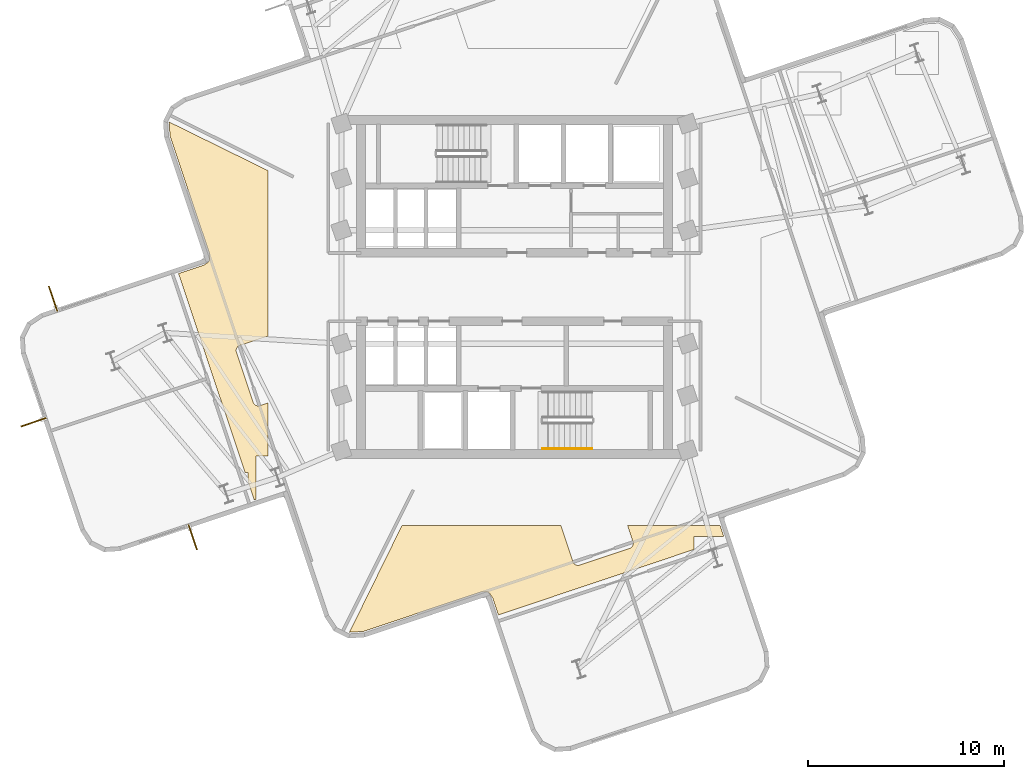
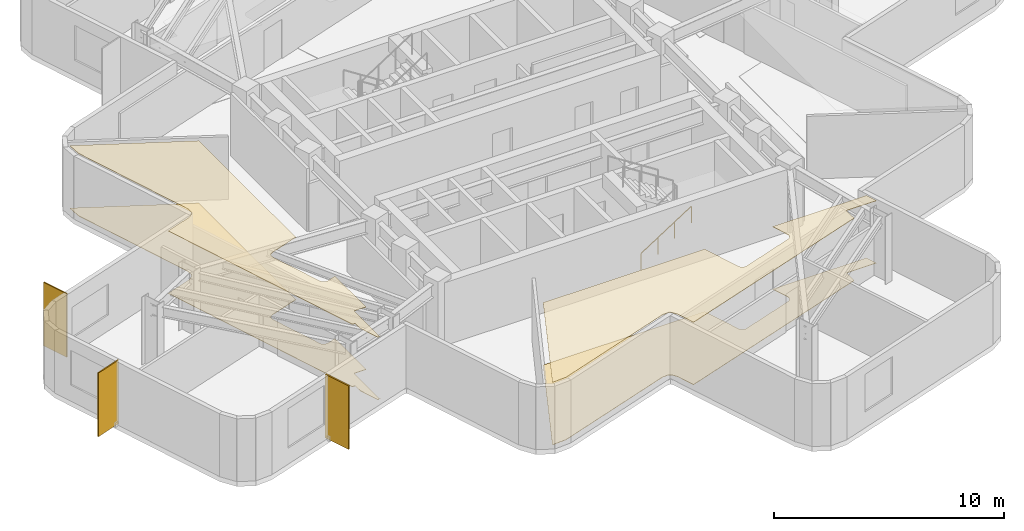
# One storey, part 6 of 8: 4 coverings, 3 shading devices, 1 railing.
"""IFC4 building model written with IfcOpenShell, lengths in metres."""

from ifc_helpers import new_model, si_unit, direction, frame, origin, origin_2d, place, context, subcontext, project, spatial, polyline, rectangle, circle, outline, extrude, material, layer, layer_set, type_object, element, save


model = new_model("IFC4")

# Units and contexts
model_context = context("Model", 3, precision=1e-05, world=origin(), true_north=direction((0.0, 1.0)))
body_context = subcontext(model_context, "Body", "Model", "MODEL_VIEW")
ifc_project = project(units=[si_unit("LENGTHUNIT", "METRE"), si_unit("AREAUNIT", "SQUARE_METRE"), si_unit("VOLUMEUNIT", "CUBIC_METRE"), si_unit("PLANEANGLEUNIT", "RADIAN"), si_unit("MASSUNIT", "GRAM", prefix="KILO")], contexts=[model_context])

# Site, building, storey
site_placement = place(None, origin())
site = spatial("IfcSite", under=ifc_project, at=site_placement, CompositionType="ELEMENT")
building_placement = place(site_placement, origin())
building = spatial("IfcBuilding", under=site, at=building_placement, Name="Solmarez Civic Tower", CompositionType="ELEMENT")
storey_placement = place(building_placement, frame((0.0, 0.0, 159.47998046875)))
storey = spatial("IfcBuildingStorey", under=building, at=storey_placement, Name="L42", CompositionType="ELEMENT", Elevation=159.47998046875)

# Coverings
ifc_material_1 = material(Name="Perforated Mineral-Fibre Acoustic Ceiling")
ifc_layer_1 = layer(ifc_material_1, 0.02490234375)
ifc_layer_set_1 = layer_set([ifc_layer_1], Name="Perforated Mineral-Fibre Acoustic Ceiling")
covering_type_1 = type_object("IfcCoveringType", Name="COV-CEIL-ACOUSTIC", PredefinedType="CEILING", material=ifc_layer_set_1)
covering_1_placement = place(storey_placement, frame((0.0, 0.0, 3.31494140625)))
element("IfcCovering", 1, at=covering_1_placement, inside=storey, type_object=covering_type_1, Name="L42 Suspended Acoustic Ceiling 2", PredefinedType="CEILING", context=body_context, shape_type="SweptSolid", body=[
    extrude(outline(polyline([(3.072021484375, -14.1650390625), (3.06201171875, -14.156982421875), (3.048095703125, -14.14306640625), (3.034912109375, -14.126953125), (3.02294921875, -14.111083984375), (3.01806640625, -14.10302734375), (3.00390625, -14.074951171875), (3.0, -14.06591796875), (2.991943359375, -14.047119140625), (2.3740234375, -12.199951171875), (-5.75390625, -12.199951171875), (-8.43505859375, -17.65087890625), (-8.428955078125, -17.654052734375), (-7.720947265625, -17.610107421875), (-1.748046875, -15.611083984375), (-1.738037109375, -15.60791015625), (-1.73095703125, -15.60595703125), (-1.701904296875, -15.60009765625), (-1.695068359375, -15.59912109375), (-1.68798828125, -15.597900390625), (-1.6708984375, -15.595947265625), (-1.4990234375, -15.5849609375), (-1.485107421875, -15.5849609375), (-1.47802734375, -15.5849609375), (-1.450927734375, -15.5869140625), (-1.43896484375, -15.587890625), (-1.431884765625, -15.589111328125), (-1.409912109375, -15.593994140625), (-1.402099609375, -15.595947265625), (-1.385009765625, -15.60107421875), (-1.367919921875, -15.60693359375), (-1.361083984375, -15.610107421875), (-1.35009765625, -15.614990234375), (-1.343994140625, -15.617919921875), (-1.3330078125, -15.6240234375), (-1.325927734375, -15.6279296875), (-1.31005859375, -15.637939453125), (-1.2939453125, -15.64990234375), (-1.2880859375, -15.655029296875), (-1.281982421875, -15.659912109375), (-1.26708984375, -15.673095703125), (-1.25390625, -15.68798828125), (-1.2490234375, -15.694091796875), (-1.235107421875, -15.712890625), (-1.23095703125, -15.718994140625), (-1.135986328125, -15.862060546875), (-1.132080078125, -15.867919921875), (-1.1220703125, -15.885009765625), (-1.113037109375, -15.903076171875), (-1.110107421875, -15.909912109375), (-1.10302734375, -15.927001953125), (-1.10107421875, -15.93310546875), (-0.822021484375, -16.76806640625), (9.18994140625, -13.4169921875), (9.18994140625, -12.75), (10.698974609375, -12.75), (10.513916015625, -12.199951171875), (5.7900390625, -12.199951171875), (6.06298828125, -13.01611328125), (6.068115234375, -13.030029296875), (6.072998046875, -13.050048828125), (6.073974609375, -13.054931640625), (6.076904296875, -13.075927734375), (6.077880859375, -13.097900390625), (6.077880859375, -13.10693359375), (6.076904296875, -13.12890625), (6.073974609375, -13.14990234375), (6.072998046875, -13.155029296875), (6.072021484375, -13.159912109375), (6.06494140625, -13.18701171875), (6.06201171875, -13.196044921875), (6.053955078125, -13.215087890625), (6.044921875, -13.23291015625), (6.0400390625, -13.241943359375), (6.030029296875, -13.259033203125), (6.01708984375, -13.27490234375), (6.00390625, -13.291015625), (5.9970703125, -13.298095703125), (5.97802734375, -13.31396484375), (5.9580078125, -13.3291015625), (5.949951171875, -13.333984375), (5.922119140625, -13.347900390625), (5.9130859375, -13.35205078125), (5.89404296875, -13.360107421875), (3.3359375, -14.216064453125), (3.322021484375, -14.220947265625), (3.302001953125, -14.22607421875), (3.297119140625, -14.22705078125), (3.27587890625, -14.22998046875), (3.25390625, -14.23095703125), (3.2451171875, -14.23095703125), (3.222900390625, -14.22998046875), (3.201904296875, -14.22705078125), (3.197021484375, -14.22607421875), (3.19189453125, -14.22509765625), (3.1650390625, -14.218017578125), (3.156005859375, -14.215087890625), (3.134033203125, -14.2060546875), (3.113037109375, -14.195068359375), (3.10791015625, -14.19189453125), (3.092041015625, -14.180908203125), (3.077880859375, -14.169921875), (3.072021484375, -14.1650390625)])), origin(), (0.0, 0.0, 1.0), 0.025146484375),
])
covering_2_placement = place(storey_placement, frame((0.0, 0.0, 3.31494140625)))
element("IfcCovering", 2, at=covering_2_placement, inside=storey, type_object=covering_type_1, Name="L42 Suspended Acoustic Ceiling 4", PredefinedType="CEILING", context=body_context, shape_type="SweptSolid", body=[
    extrude(outline(polyline([(-14.216064453125, -3.3359375), (-14.220947265625, -3.322021484375), (-14.22607421875, -3.302001953125), (-14.22705078125, -3.297119140625), (-14.22998046875, -3.27587890625), (-14.23095703125, -3.25390625), (-14.23095703125, -3.2451171875), (-14.22998046875, -3.222900390625), (-14.22705078125, -3.201904296875), (-14.22607421875, -3.197021484375), (-14.22509765625, -3.19189453125), (-14.218017578125, -3.1650390625), (-14.215087890625, -3.156005859375), (-14.2060546875, -3.134033203125), (-14.195068359375, -3.113037109375), (-14.19189453125, -3.10791015625), (-14.180908203125, -3.092041015625), (-14.169921875, -3.077880859375), (-14.1650390625, -3.072021484375), (-14.156982421875, -3.06201171875), (-14.14306640625, -3.048095703125), (-14.126953125, -3.034912109375), (-14.111083984375, -3.02294921875), (-14.10302734375, -3.01806640625), (-14.074951171875, -3.00390625), (-14.06591796875, -3.0), (-14.047119140625, -2.991943359375), (-12.60009765625, -2.508056640625), (-12.60009765625, 5.950927734375), (-17.65087890625, 8.43505859375), (-17.654052734375, 8.428955078125), (-17.610107421875, 7.720947265625), (-15.611083984375, 1.748046875), (-15.60791015625, 1.738037109375), (-15.60595703125, 1.73095703125), (-15.60009765625, 1.701904296875), (-15.59912109375, 1.695068359375), (-15.597900390625, 1.68798828125), (-15.595947265625, 1.6708984375), (-15.5849609375, 1.4990234375), (-15.5849609375, 1.485107421875), (-15.5849609375, 1.47802734375), (-15.5869140625, 1.450927734375), (-15.587890625, 1.43896484375), (-15.589111328125, 1.431884765625), (-15.593994140625, 1.409912109375), (-15.595947265625, 1.402099609375), (-15.60107421875, 1.385009765625), (-15.60693359375, 1.367919921875), (-15.610107421875, 1.361083984375), (-15.614990234375, 1.35009765625), (-15.617919921875, 1.343994140625), (-15.6240234375, 1.3330078125), (-15.6279296875, 1.325927734375), (-15.637939453125, 1.31005859375), (-15.64990234375, 1.2939453125), (-15.655029296875, 1.2880859375), (-15.659912109375, 1.281982421875), (-15.673095703125, 1.26708984375), (-15.68798828125, 1.25390625), (-15.694091796875, 1.2490234375), (-15.712890625, 1.235107421875), (-15.718994140625, 1.23095703125), (-15.862060546875, 1.135986328125), (-15.867919921875, 1.132080078125), (-15.885009765625, 1.1220703125), (-15.903076171875, 1.113037109375), (-15.909912109375, 1.110107421875), (-15.927001953125, 1.10302734375), (-15.93310546875, 1.10107421875), (-17.176025390625, 0.68603515625), (-13.77587890625, -9.472900390625), (-13.631103515625, -9.472900390625), (-13.631103515625, -9.906982421875), (-13.303955078125, -10.884033203125), (-13.14697265625, -10.8310546875), (-13.2060546875, -10.8310546875), (-13.2060546875, -8.631103515625), (-12.60009765625, -8.631103515625), (-12.60009765625, -5.924072265625), (-13.01611328125, -6.06298828125), (-13.030029296875, -6.068115234375), (-13.050048828125, -6.072998046875), (-13.054931640625, -6.073974609375), (-13.075927734375, -6.076904296875), (-13.097900390625, -6.077880859375), (-13.10693359375, -6.077880859375), (-13.12890625, -6.076904296875), (-13.14990234375, -6.073974609375), (-13.155029296875, -6.072998046875), (-13.159912109375, -6.072021484375), (-13.18701171875, -6.06494140625), (-13.196044921875, -6.06201171875), (-13.215087890625, -6.053955078125), (-13.23291015625, -6.044921875), (-13.241943359375, -6.0400390625), (-13.259033203125, -6.030029296875), (-13.27490234375, -6.01708984375), (-13.291015625, -6.00390625), (-13.298095703125, -5.9970703125), (-13.31396484375, -5.97802734375), (-13.3291015625, -5.9580078125), (-13.333984375, -5.949951171875), (-13.347900390625, -5.922119140625), (-13.35205078125, -5.9130859375), (-13.360107421875, -5.89404296875), (-14.216064453125, -3.3359375)])), origin(), (0.0, 0.0, 1.0), 0.025146484375),
])
ifc_material_2 = material(Name="Polished Tropical Stone Terrazzo Flooring", Category="masonry")
ifc_layer_2 = layer(ifc_material_2, 0.02001953125)
ifc_layer_set_2 = layer_set([ifc_layer_2], Name="Polished Tropical Stone Terrazzo Flooring")
covering_type_2 = type_object("IfcCoveringType", Name="COV-FLOOR-TERRAZZO", PredefinedType="FLOORING", material=ifc_layer_set_2)
covering_3_placement = place(storey_placement, origin())
element("IfcCovering", 3, at=covering_3_placement, inside=storey, type_object=covering_type_2, Name="L42 Terrazzo Floor Finish 2", PredefinedType="FLOORING", context=body_context, shape_type="SweptSolid", body=[
    extrude(outline(polyline([(3.072021484375, -14.1650390625), (3.06201171875, -14.156982421875), (3.048095703125, -14.14306640625), (3.034912109375, -14.126953125), (3.02294921875, -14.111083984375), (3.01806640625, -14.10302734375), (3.00390625, -14.074951171875), (3.0, -14.06591796875), (2.991943359375, -14.047119140625), (2.3740234375, -12.199951171875), (-5.75390625, -12.199951171875), (-8.43505859375, -17.65087890625), (-8.428955078125, -17.654052734375), (-7.720947265625, -17.610107421875), (-1.748046875, -15.611083984375), (-1.738037109375, -15.60791015625), (-1.73095703125, -15.60595703125), (-1.701904296875, -15.60009765625), (-1.695068359375, -15.59912109375), (-1.68798828125, -15.597900390625), (-1.6708984375, -15.595947265625), (-1.4990234375, -15.5849609375), (-1.485107421875, -15.5849609375), (-1.47802734375, -15.5849609375), (-1.450927734375, -15.5869140625), (-1.43896484375, -15.587890625), (-1.431884765625, -15.589111328125), (-1.409912109375, -15.593994140625), (-1.402099609375, -15.595947265625), (-1.385009765625, -15.60107421875), (-1.367919921875, -15.60693359375), (-1.361083984375, -15.610107421875), (-1.35009765625, -15.614990234375), (-1.343994140625, -15.617919921875), (-1.3330078125, -15.6240234375), (-1.325927734375, -15.6279296875), (-1.31005859375, -15.637939453125), (-1.2939453125, -15.64990234375), (-1.2880859375, -15.655029296875), (-1.281982421875, -15.659912109375), (-1.26708984375, -15.673095703125), (-1.25390625, -15.68798828125), (-1.2490234375, -15.694091796875), (-1.235107421875, -15.712890625), (-1.23095703125, -15.718994140625), (-1.135986328125, -15.862060546875), (-1.132080078125, -15.867919921875), (-1.1220703125, -15.885009765625), (-1.113037109375, -15.903076171875), (-1.110107421875, -15.909912109375), (-1.10302734375, -15.927001953125), (-1.10107421875, -15.93310546875), (-0.822021484375, -16.76806640625), (9.18994140625, -13.4169921875), (9.18994140625, -12.75), (10.698974609375, -12.75), (10.513916015625, -12.199951171875), (5.7900390625, -12.199951171875), (6.06298828125, -13.01611328125), (6.068115234375, -13.030029296875), (6.072998046875, -13.050048828125), (6.073974609375, -13.054931640625), (6.076904296875, -13.075927734375), (6.077880859375, -13.097900390625), (6.077880859375, -13.10693359375), (6.076904296875, -13.12890625), (6.073974609375, -13.14990234375), (6.072998046875, -13.155029296875), (6.072021484375, -13.159912109375), (6.06494140625, -13.18701171875), (6.06201171875, -13.196044921875), (6.053955078125, -13.215087890625), (6.044921875, -13.23291015625), (6.0400390625, -13.241943359375), (6.030029296875, -13.259033203125), (6.01708984375, -13.27490234375), (6.00390625, -13.291015625), (5.9970703125, -13.298095703125), (5.97802734375, -13.31396484375), (5.9580078125, -13.3291015625), (5.949951171875, -13.333984375), (5.922119140625, -13.347900390625), (5.9130859375, -13.35205078125), (5.89404296875, -13.360107421875), (3.3359375, -14.216064453125), (3.322021484375, -14.220947265625), (3.302001953125, -14.22607421875), (3.297119140625, -14.22705078125), (3.27587890625, -14.22998046875), (3.25390625, -14.23095703125), (3.2451171875, -14.23095703125), (3.222900390625, -14.22998046875), (3.201904296875, -14.22705078125), (3.197021484375, -14.22607421875), (3.19189453125, -14.22509765625), (3.1650390625, -14.218017578125), (3.156005859375, -14.215087890625), (3.134033203125, -14.2060546875), (3.113037109375, -14.195068359375), (3.10791015625, -14.19189453125), (3.092041015625, -14.180908203125), (3.077880859375, -14.169921875), (3.072021484375, -14.1650390625)])), origin(), (0.0, 0.0, 1.0), 0.02001953125),
])
covering_4_placement = place(storey_placement, origin())
element("IfcCovering", 4, at=covering_4_placement, inside=storey, type_object=covering_type_2, Name="L42 Terrazzo Floor Finish 4", PredefinedType="FLOORING", context=body_context, shape_type="SweptSolid", body=[
    extrude(outline(polyline([(-14.216064453125, -3.3359375), (-14.220947265625, -3.322021484375), (-14.22607421875, -3.302001953125), (-14.22705078125, -3.297119140625), (-14.22998046875, -3.27587890625), (-14.23095703125, -3.25390625), (-14.23095703125, -3.2451171875), (-14.22998046875, -3.222900390625), (-14.22705078125, -3.201904296875), (-14.22607421875, -3.197021484375), (-14.22509765625, -3.19189453125), (-14.218017578125, -3.1650390625), (-14.215087890625, -3.156005859375), (-14.2060546875, -3.134033203125), (-14.195068359375, -3.113037109375), (-14.19189453125, -3.10791015625), (-14.180908203125, -3.092041015625), (-14.169921875, -3.077880859375), (-14.1650390625, -3.072021484375), (-14.156982421875, -3.06201171875), (-14.14306640625, -3.048095703125), (-14.126953125, -3.034912109375), (-14.111083984375, -3.02294921875), (-14.10302734375, -3.01806640625), (-14.074951171875, -3.00390625), (-14.06591796875, -3.0), (-14.047119140625, -2.991943359375), (-12.60009765625, -2.508056640625), (-12.60009765625, 5.950927734375), (-17.65087890625, 8.43505859375), (-17.654052734375, 8.428955078125), (-17.610107421875, 7.720947265625), (-15.611083984375, 1.748046875), (-15.60791015625, 1.738037109375), (-15.60595703125, 1.73095703125), (-15.60009765625, 1.701904296875), (-15.59912109375, 1.695068359375), (-15.597900390625, 1.68798828125), (-15.595947265625, 1.6708984375), (-15.5849609375, 1.4990234375), (-15.5849609375, 1.485107421875), (-15.5849609375, 1.47802734375), (-15.5869140625, 1.450927734375), (-15.587890625, 1.43896484375), (-15.589111328125, 1.431884765625), (-15.593994140625, 1.409912109375), (-15.595947265625, 1.402099609375), (-15.60107421875, 1.385009765625), (-15.60693359375, 1.367919921875), (-15.610107421875, 1.361083984375), (-15.614990234375, 1.35009765625), (-15.617919921875, 1.343994140625), (-15.6240234375, 1.3330078125), (-15.6279296875, 1.325927734375), (-15.637939453125, 1.31005859375), (-15.64990234375, 1.2939453125), (-15.655029296875, 1.2880859375), (-15.659912109375, 1.281982421875), (-15.673095703125, 1.26708984375), (-15.68798828125, 1.25390625), (-15.694091796875, 1.2490234375), (-15.712890625, 1.235107421875), (-15.718994140625, 1.23095703125), (-15.862060546875, 1.135986328125), (-15.867919921875, 1.132080078125), (-15.885009765625, 1.1220703125), (-15.903076171875, 1.113037109375), (-15.909912109375, 1.110107421875), (-15.927001953125, 1.10302734375), (-15.93310546875, 1.10107421875), (-17.176025390625, 0.68603515625), (-13.77587890625, -9.472900390625), (-13.631103515625, -9.472900390625), (-13.631103515625, -9.906982421875), (-13.303955078125, -10.884033203125), (-13.14697265625, -10.8310546875), (-13.2060546875, -10.8310546875), (-13.2060546875, -8.631103515625), (-12.60009765625, -8.631103515625), (-12.60009765625, -5.924072265625), (-13.01611328125, -6.06298828125), (-13.030029296875, -6.068115234375), (-13.050048828125, -6.072998046875), (-13.054931640625, -6.073974609375), (-13.075927734375, -6.076904296875), (-13.097900390625, -6.077880859375), (-13.10693359375, -6.077880859375), (-13.12890625, -6.076904296875), (-13.14990234375, -6.073974609375), (-13.155029296875, -6.072998046875), (-13.159912109375, -6.072021484375), (-13.18701171875, -6.06494140625), (-13.196044921875, -6.06201171875), (-13.215087890625, -6.053955078125), (-13.23291015625, -6.044921875), (-13.241943359375, -6.0400390625), (-13.259033203125, -6.030029296875), (-13.27490234375, -6.01708984375), (-13.291015625, -6.00390625), (-13.298095703125, -5.9970703125), (-13.31396484375, -5.97802734375), (-13.3291015625, -5.9580078125), (-13.333984375, -5.949951171875), (-13.347900390625, -5.922119140625), (-13.35205078125, -5.9130859375), (-13.360107421875, -5.89404296875), (-14.216064453125, -3.3359375)])), origin(), (0.0, 0.0, 1.0), 0.02001953125),
])

# Shading devices
ifc_material_3 = material(Name="Bronze Anodised Aluminium EN AW-6063 T6", Category="aluminium")
ifc_layer_3 = layer(ifc_material_3, 0.06005859375)
ifc_layer_set_3 = layer_set([ifc_layer_3], Name="Bronze Anodised Aluminium EN AW-6063 T6")
shading_device_type = type_object("IfcShadingDeviceType", Name="FIN-BRONZE-Z34", PredefinedType="USERDEFINED", material=ifc_layer_set_3)
for number, where, z_axis, x_axis, name in (
    (5, (-16.449951171875, -12.7958984375, -0.0400390625), (0.0, 0.0, 1.0), (0.324148580789, -0.946006182629, 0.0), "L42 Anodised Bronze Solar Fin FIN-L42-01"),
    (6, (-24.591064453125, -6.916015625, -0.0400390625), (0.0, 0.0, 1.0), (-0.945994867133, -0.324181602437, 0.0), "L42 Anodised Bronze Solar Fin FIN-L42-02"),
    (7, (-23.589111328125, -0.60107421875, -0.0400390625), (0.0, 0.0, 1.0), (-0.324148580789, 0.946006182629, 0.0), "L42 Anodised Bronze Solar Fin FIN-L42-03"),
):
    element("IfcShadingDevice", number, at=place(storey_placement, frame(where, z_axis=z_axis, x_axis=x_axis)), inside=storey, type_object=shading_device_type, Name=name, ObjectType="FIN", PredefinedType="USERDEFINED", context=body_context, shape_type="SweptSolid", body=[
        extrude(rectangle(XDim=1.35009765625, YDim=0.06005859375, at=origin_2d()), origin(), (0.0, 0.0, 1.0), 3.3798828125),
    ])

# Railing
ifc_material_4 = material(Name="Brushed Stainless Steel Tube Handrail", Category="steel")
railing_type = type_object("IfcRailingType", Name="HANDRAIL-STAIR-900", PredefinedType="HANDRAIL", material=ifc_material_4)
railing_placement = place(storey_placement, frame((1.449951171875, -8.27001953125, 0.179931640625)))
element("IfcRailing", 8, at=railing_placement, inside=storey, type_object=railing_type, Name="L42 ST-2 stair handrail 1", PredefinedType="HANDRAIL", context=body_context, shape_type="SweptSolid", body=[
    extrude(circle(Radius=0.02392578125, at=origin_2d()), frame((0.0, 0.0, 0.8759765625), z_axis=(0.841162588446, 0.0, 0.540782303519), x_axis=(0.0, 1.0, 0.0)), (0.0, 0.0, 1.0), 2.995849609375),
    extrude(circle(Radius=0.02099609375, at=origin_2d()), origin(), (0.0, 0.0, 1.0), 0.851806640625),
    extrude(circle(Radius=0.02099609375, at=origin_2d()), frame((0.840087890625, 0.0, 0.5400390625)), (0.0, 0.0, 1.0), 0.851806640625),
    extrude(circle(Radius=0.02099609375, at=origin_2d()), frame((1.679931640625, 0.0, 1.080078125)), (0.0, 0.0, 1.0), 0.851806640625),
    extrude(circle(Radius=0.02099609375, at=origin_2d()), frame((2.52001953125, 0.0, 1.6201171875)), (0.0, 0.0, 1.0), 0.851806640625),
])

save(model, "model.ifc")
